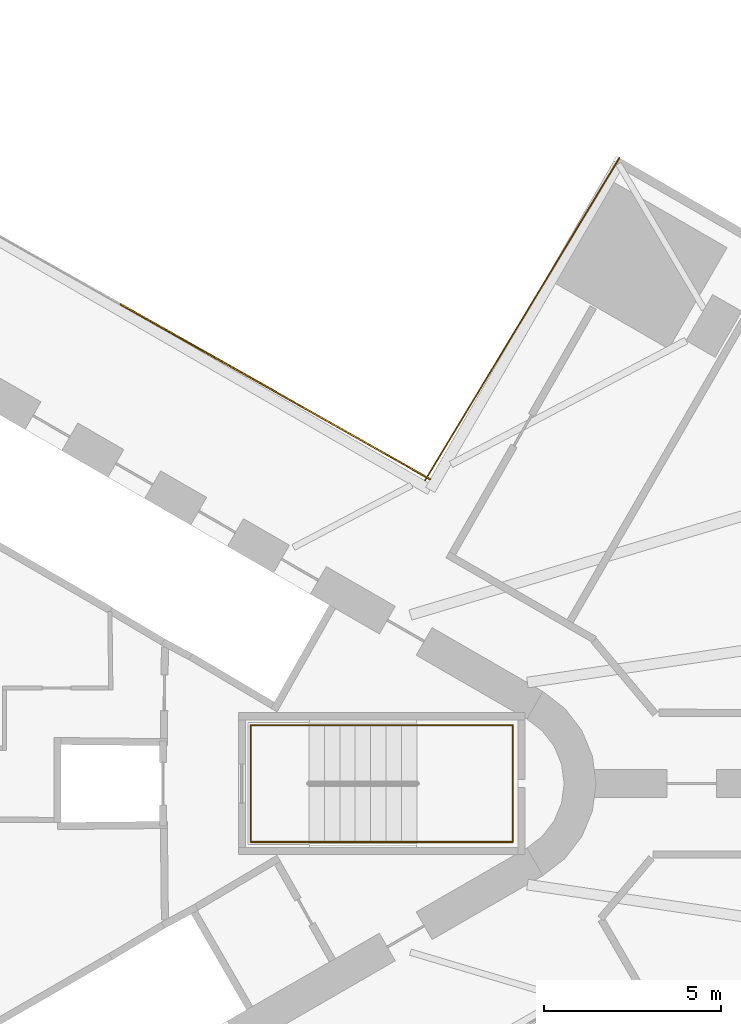
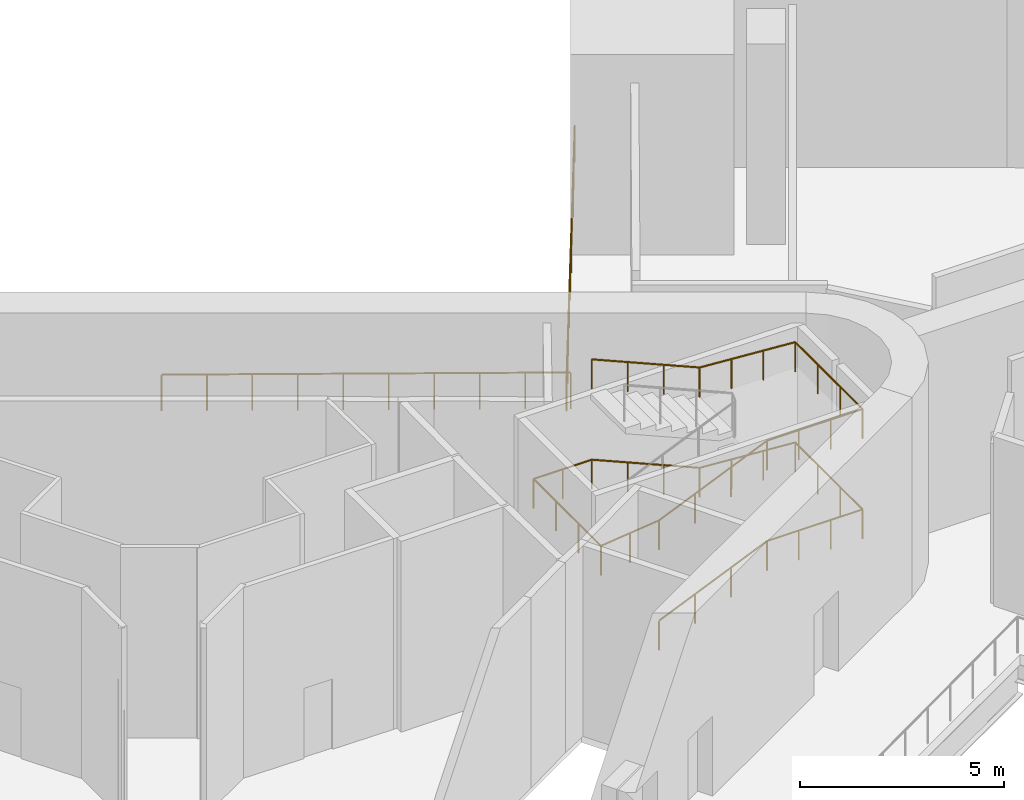
# One storey, part 11 of 11: 3 railings.
"""IFC4 building model written with IfcOpenShell, lengths in metres."""

from ifc_helpers import new_model, si_unit, direction, frame, origin, origin_2d, place, context, subcontext, project, spatial, circle, extrude, material, type_object, element, save


model = new_model("IFC4")

# Units and contexts
model_context = context("Model", 3, precision=1e-05, world=origin(), true_north=direction((0.0, 1.0)))
body_context = subcontext(model_context, "Body", "Model", "MODEL_VIEW")
ifc_project = project(units=[si_unit("LENGTHUNIT", "METRE"), si_unit("AREAUNIT", "SQUARE_METRE"), si_unit("VOLUMEUNIT", "CUBIC_METRE"), si_unit("PLANEANGLEUNIT", "RADIAN"), si_unit("MASSUNIT", "GRAM", prefix="KILO")], contexts=[model_context])

# Site, building, storey
site_placement = place(None, origin())
site = spatial("IfcSite", under=ifc_project, at=site_placement, CompositionType="ELEMENT")
building_placement = place(site_placement, origin())
building = spatial("IfcBuilding", under=site, at=building_placement, Name="Tanit Gate Tower", CompositionType="ELEMENT")
storey_placement = place(building_placement, frame((0.0, 0.0, 21.5)))
storey = spatial("IfcBuildingStorey", under=building, at=storey_placement, Name="L03", CompositionType="ELEMENT", Elevation=21.5)

# Railings
ifc_material_1 = material(Name="Stainless steel", Category="steel")
railing_type_1 = type_object("IfcRailingType", Name="Guard 1100 stainless steel balustrade", PredefinedType="GUARDRAIL", material=ifc_material_1)
railing_1_placement = place(storey_placement, frame((16.37353515625, 8.56005859375, 0.0)))
element("IfcRailing", 1, at=railing_1_placement, inside=storey, type_object=railing_type_1, Name="Tunnel edge guard L03 5", PredefinedType="GUARDRAIL", context=body_context, shape_type="SweptSolid", body=[
    extrude(circle(Radius=0.02392578125, at=origin_2d()), frame((0.0, 0.0, 1.076171875), z_axis=(0.516210356507, 0.856461830927, 0.0), x_axis=(-0.856461830927, 0.516210356507, 0.0)), (0.0, 0.0, 1.0), 10.630859375),
    extrude(circle(Radius=0.02099609375, at=origin_2d()), origin(), (0.0, 0.0, 1.0), 1.052001953125),
    extrude(circle(Radius=0.02099609375, at=origin_2d()), frame((0.60986328125, 1.01171875, 0.0)), (0.0, 0.0, 1.0), 1.052001953125),
    extrude(circle(Radius=0.02099609375, at=origin_2d()), frame((1.219482421875, 2.0234375, 0.0)), (0.0, 0.0, 1.0), 1.052001953125),
    extrude(circle(Radius=0.02099609375, at=origin_2d()), frame((1.829345703125, 3.034912109375, 0.0)), (0.0, 0.0, 1.0), 1.052001953125),
    extrude(circle(Radius=0.02099609375, at=origin_2d()), frame((2.43896484375, 4.046630859375, 0.0)), (0.0, 0.0, 1.0), 1.052001953125),
    extrude(circle(Radius=0.02099609375, at=origin_2d()), frame((3.048828125, 5.058349609375, 0.0)), (0.0, 0.0, 1.0), 1.052001953125),
    extrude(circle(Radius=0.02099609375, at=origin_2d()), frame((3.658447265625, 6.070068359375, 0.0)), (0.0, 0.0, 1.0), 1.052001953125),
    extrude(circle(Radius=0.02099609375, at=origin_2d()), frame((4.268310546875, 7.08154296875, 0.0)), (0.0, 0.0, 1.0), 1.052001953125),
    extrude(circle(Radius=0.02099609375, at=origin_2d()), frame((4.8779296875, 8.09326171875, 0.0)), (0.0, 0.0, 1.0), 1.052001953125),
    extrude(circle(Radius=0.02099609375, at=origin_2d()), frame((5.48779296875, 9.10498046875, 0.0)), (0.0, 0.0, 1.0), 1.052001953125),
])
railing_2_placement = place(storey_placement, frame((7.78271484375, 13.52685546875, 0.0)))
element("IfcRailing", 2, at=railing_2_placement, inside=storey, type_object=railing_type_1, Name="Tunnel edge guard L03 6", PredefinedType="GUARDRAIL", context=body_context, shape_type="SweptSolid", body=[
    extrude(circle(Radius=0.02392578125, at=origin_2d()), frame((0.0, 0.0, 1.076171875), z_axis=(0.870681662692, -0.491846970359, 0.0), x_axis=(0.491846970359, 0.870681662692, 0.0)), (0.0, 0.0, 1.0), 10.023681640625),
    extrude(circle(Radius=0.02099609375, at=origin_2d()), origin(), (0.0, 0.0, 1.0), 1.052001953125),
    extrude(circle(Radius=0.02099609375, at=origin_2d()), frame((0.9697265625, -0.5478515625, 0.0)), (0.0, 0.0, 1.0), 1.052001953125),
    extrude(circle(Radius=0.02099609375, at=origin_2d()), frame((1.939453125, -1.095703125, 0.0)), (0.0, 0.0, 1.0), 1.052001953125),
    extrude(circle(Radius=0.02099609375, at=origin_2d()), frame((2.9091796875, -1.643310546875, 0.0)), (0.0, 0.0, 1.0), 1.052001953125),
    extrude(circle(Radius=0.02099609375, at=origin_2d()), frame((3.87890625, -2.191162109375, 0.0)), (0.0, 0.0, 1.0), 1.052001953125),
    extrude(circle(Radius=0.02099609375, at=origin_2d()), frame((4.8486328125, -2.739013671875, 0.0)), (0.0, 0.0, 1.0), 1.052001953125),
    extrude(circle(Radius=0.02099609375, at=origin_2d()), frame((5.818359375, -3.286865234375, 0.0)), (0.0, 0.0, 1.0), 1.052001953125),
    extrude(circle(Radius=0.02099609375, at=origin_2d()), frame((6.7880859375, -3.83447265625, 0.0)), (0.0, 0.0, 1.0), 1.052001953125),
    extrude(circle(Radius=0.02099609375, at=origin_2d()), frame((7.7578125, -4.38232421875, 0.0)), (0.0, 0.0, 1.0), 1.052001953125),
    extrude(circle(Radius=0.02099609375, at=origin_2d()), frame((8.7275390625, -4.93017578125, 0.0)), (0.0, 0.0, 1.0), 1.052001953125),
])
ifc_material_2 = material(Name="Stainless steel handrail", Category="steel")
railing_type_2 = type_object("IfcRailingType", Name="INT-STAIR-HANDRAIL", PredefinedType="HANDRAIL", material=ifc_material_2)
railing_3_placement = place(storey_placement, frame((13.094970703125, -1.64990234375, 0.1875)))
element("IfcRailing", 3, at=railing_3_placement, inside=storey, type_object=railing_type_2, Name="L03 S1 stair handrail 1", PredefinedType="HANDRAIL", context=body_context, shape_type="SweptSolid", body=[
    extrude(circle(Radius=0.02392578125, at=origin_2d()), frame((0.0, 0.0, 0.8759765625), z_axis=(0.918608089886, 0.0, 0.395169808052), x_axis=(0.0, 1.0, 0.0)), (0.0, 0.0, 1.0), 3.3212890625),
    extrude(circle(Radius=0.02392578125, at=origin_2d()), frame((3.051025390625, 0.0, 2.1884765625), z_axis=(1.0, 0.0, 0.0), x_axis=(0.0, 1.0, 0.0)), (0.0, 0.0, 1.0), 2.7041015625),
    extrude(circle(Radius=0.02392578125, at=origin_2d()), frame((5.755126953125, 0.0, 2.1884765625), z_axis=(0.0, 1.0, 0.0), x_axis=(-1.0, 0.0, 0.0)), (0.0, 0.0, 1.0), 3.2998046875),
    extrude(circle(Radius=0.02392578125, at=origin_2d()), frame((5.755126953125, 3.2998046875, 2.1884765625), z_axis=(-0.997604677724, 0.0, 0.069173022074), x_axis=(0.0, -1.0, 0.0)), (0.0, 0.0, 1.0), 2.710693359375),
    extrude(circle(Radius=0.02392578125, at=origin_2d()), frame((3.051025390625, 3.2998046875, 2.3759765625), z_axis=(-0.918608089886, 0.0, 0.395169808052), x_axis=(0.0, -1.0, 0.0)), (0.0, 0.0, 1.0), 3.3212890625),
    extrude(circle(Radius=0.02392578125, at=origin_2d()), frame((0.0, 3.2998046875, 3.6884765625), z_axis=(-1.0, 0.0, 0.0), x_axis=(0.0, -1.0, 0.0)), (0.0, 0.0, 1.0), 1.64501953125),
    extrude(circle(Radius=0.02392578125, at=origin_2d()), frame((-1.64501953125, 3.2998046875, 3.6884765625), z_axis=(0.0, -1.0, 0.0), x_axis=(1.0, 0.0, 0.0)), (0.0, 0.0, 1.0), 3.2998046875),
    extrude(circle(Radius=0.02392578125, at=origin_2d()), frame((-1.64501953125, 0.0, 3.6884765625), z_axis=(0.99356684807, 0.0, 0.113247156325), x_axis=(0.0, 1.0, 0.0)), (0.0, 0.0, 1.0), 1.65576171875),
    extrude(circle(Radius=0.02392578125, at=origin_2d()), frame((0.0, 0.0, 3.8759765625), z_axis=(0.918608089886, 0.0, 0.395169808052), x_axis=(0.0, 1.0, 0.0)), (0.0, 0.0, 1.0), 3.3212890625),
    extrude(circle(Radius=0.02392578125, at=origin_2d()), frame((3.051025390625, 0.0, 5.1884765625), z_axis=(1.0, 0.0, 0.0), x_axis=(0.0, 1.0, 0.0)), (0.0, 0.0, 1.0), 2.7041015625),
    extrude(circle(Radius=0.02392578125, at=origin_2d()), frame((5.755126953125, 0.0, 5.1884765625), z_axis=(0.0, 1.0, 0.0), x_axis=(-1.0, 0.0, 0.0)), (0.0, 0.0, 1.0), 3.2998046875),
    extrude(circle(Radius=0.02392578125, at=origin_2d()), frame((5.755126953125, 3.2998046875, 5.1884765625), z_axis=(-0.997604677724, 0.0, 0.069173022074), x_axis=(0.0, -1.0, 0.0)), (0.0, 0.0, 1.0), 2.710693359375),
    extrude(circle(Radius=0.02392578125, at=origin_2d()), frame((3.051025390625, 3.2998046875, 5.3759765625), z_axis=(-0.918608089886, 0.0, 0.395169808052), x_axis=(0.0, -1.0, 0.0)), (0.0, 0.0, 1.0), 3.3212890625),
    extrude(circle(Radius=0.02099609375, at=origin_2d()), origin(), (0.0, 0.0, 1.0), 0.851806640625),
    extrude(circle(Radius=0.02099609375, at=origin_2d()), frame((1.01708984375, 0.0, 0.4375)), (0.0, 0.0, 1.0), 0.851806640625),
    extrude(circle(Radius=0.02099609375, at=origin_2d()), frame((2.033935546875, 0.0, 0.875)), (0.0, 0.0, 1.0), 0.851806640625),
    extrude(circle(Radius=0.02099609375, at=origin_2d()), frame((3.051025390625, 0.0, 1.3125)), (0.0, 0.0, 1.0), 0.851806640625),
    extrude(circle(Radius=0.02099609375, at=origin_2d()), frame((3.952392578125, 0.0, 1.3125)), (0.0, 0.0, 1.0), 0.851806640625),
    extrude(circle(Radius=0.02099609375, at=origin_2d()), frame((4.853759765625, 0.0, 1.3125)), (0.0, 0.0, 1.0), 0.851806640625),
    extrude(circle(Radius=0.02099609375, at=origin_2d()), frame((5.755126953125, 0.0, 1.3125)), (0.0, 0.0, 1.0), 0.851806640625),
    extrude(circle(Radius=0.02099609375, at=origin_2d()), frame((5.755126953125, 1.099853515625, 1.3125)), (0.0, 0.0, 1.0), 0.851806640625),
    extrude(circle(Radius=0.02099609375, at=origin_2d()), frame((5.755126953125, 2.199951171875, 1.3125)), (0.0, 0.0, 1.0), 0.851806640625),
    extrude(circle(Radius=0.02099609375, at=origin_2d()), frame((5.755126953125, 3.2998046875, 1.3125)), (0.0, 0.0, 1.0), 0.851806640625),
    extrude(circle(Radius=0.02099609375, at=origin_2d()), frame((4.853759765625, 3.2998046875, 1.375)), (0.0, 0.0, 1.0), 0.851806640625),
    extrude(circle(Radius=0.02099609375, at=origin_2d()), frame((3.952392578125, 3.2998046875, 1.4375)), (0.0, 0.0, 1.0), 0.851806640625),
    extrude(circle(Radius=0.02099609375, at=origin_2d()), frame((3.051025390625, 3.2998046875, 1.5)), (0.0, 0.0, 1.0), 0.851806640625),
    extrude(circle(Radius=0.02099609375, at=origin_2d()), frame((2.033935546875, 3.2998046875, 1.9375)), (0.0, 0.0, 1.0), 0.851806640625),
    extrude(circle(Radius=0.02099609375, at=origin_2d()), frame((1.01708984375, 3.2998046875, 2.375)), (0.0, 0.0, 1.0), 0.851806640625),
    extrude(circle(Radius=0.02099609375, at=origin_2d()), frame((0.0, 3.2998046875, 2.8125)), (0.0, 0.0, 1.0), 0.851806640625),
    extrude(circle(Radius=0.02099609375, at=origin_2d()), frame((-0.822509765625, 3.2998046875, 2.8125)), (0.0, 0.0, 1.0), 0.851806640625),
    extrude(circle(Radius=0.02099609375, at=origin_2d()), frame((-1.64501953125, 3.2998046875, 2.8125)), (0.0, 0.0, 1.0), 0.851806640625),
    extrude(circle(Radius=0.02099609375, at=origin_2d()), frame((-1.64501953125, 2.199951171875, 2.8125)), (0.0, 0.0, 1.0), 0.851806640625),
    extrude(circle(Radius=0.02099609375, at=origin_2d()), frame((-1.64501953125, 1.099853515625, 2.8125)), (0.0, 0.0, 1.0), 0.851806640625),
    extrude(circle(Radius=0.02099609375, at=origin_2d()), frame((-1.64501953125, 0.0, 2.8125)), (0.0, 0.0, 1.0), 0.851806640625),
    extrude(circle(Radius=0.02099609375, at=origin_2d()), frame((-0.822509765625, 0.0, 2.90625)), (0.0, 0.0, 1.0), 0.851806640625),
    extrude(circle(Radius=0.02099609375, at=origin_2d()), frame((0.0, 0.0, 3.0)), (0.0, 0.0, 1.0), 0.851806640625),
    extrude(circle(Radius=0.02099609375, at=origin_2d()), frame((1.01708984375, 0.0, 3.4375)), (0.0, 0.0, 1.0), 0.851806640625),
    extrude(circle(Radius=0.02099609375, at=origin_2d()), frame((2.033935546875, 0.0, 3.875)), (0.0, 0.0, 1.0), 0.851806640625),
    extrude(circle(Radius=0.02099609375, at=origin_2d()), frame((3.051025390625, 0.0, 4.3125)), (0.0, 0.0, 1.0), 0.851806640625),
    extrude(circle(Radius=0.02099609375, at=origin_2d()), frame((3.952392578125, 0.0, 4.3125)), (0.0, 0.0, 1.0), 0.851806640625),
    extrude(circle(Radius=0.02099609375, at=origin_2d()), frame((4.853759765625, 0.0, 4.3125)), (0.0, 0.0, 1.0), 0.851806640625),
    extrude(circle(Radius=0.02099609375, at=origin_2d()), frame((5.755126953125, 0.0, 4.3125)), (0.0, 0.0, 1.0), 0.851806640625),
    extrude(circle(Radius=0.02099609375, at=origin_2d()), frame((5.755126953125, 1.099853515625, 4.3125)), (0.0, 0.0, 1.0), 0.851806640625),
    extrude(circle(Radius=0.02099609375, at=origin_2d()), frame((5.755126953125, 2.199951171875, 4.3125)), (0.0, 0.0, 1.0), 0.851806640625),
    extrude(circle(Radius=0.02099609375, at=origin_2d()), frame((5.755126953125, 3.2998046875, 4.3125)), (0.0, 0.0, 1.0), 0.851806640625),
    extrude(circle(Radius=0.02099609375, at=origin_2d()), frame((4.853759765625, 3.2998046875, 4.375)), (0.0, 0.0, 1.0), 0.851806640625),
    extrude(circle(Radius=0.02099609375, at=origin_2d()), frame((3.952392578125, 3.2998046875, 4.4375)), (0.0, 0.0, 1.0), 0.851806640625),
    extrude(circle(Radius=0.02099609375, at=origin_2d()), frame((3.051025390625, 3.2998046875, 4.5)), (0.0, 0.0, 1.0), 0.851806640625),
    extrude(circle(Radius=0.02099609375, at=origin_2d()), frame((2.033935546875, 3.2998046875, 4.9375)), (0.0, 0.0, 1.0), 0.851806640625),
    extrude(circle(Radius=0.02099609375, at=origin_2d()), frame((1.01708984375, 3.2998046875, 5.375)), (0.0, 0.0, 1.0), 0.851806640625),
    extrude(circle(Radius=0.02099609375, at=origin_2d()), frame((0.0, 3.2998046875, 5.8125)), (0.0, 0.0, 1.0), 0.851806640625),
])

save(model, "model.ifc")
